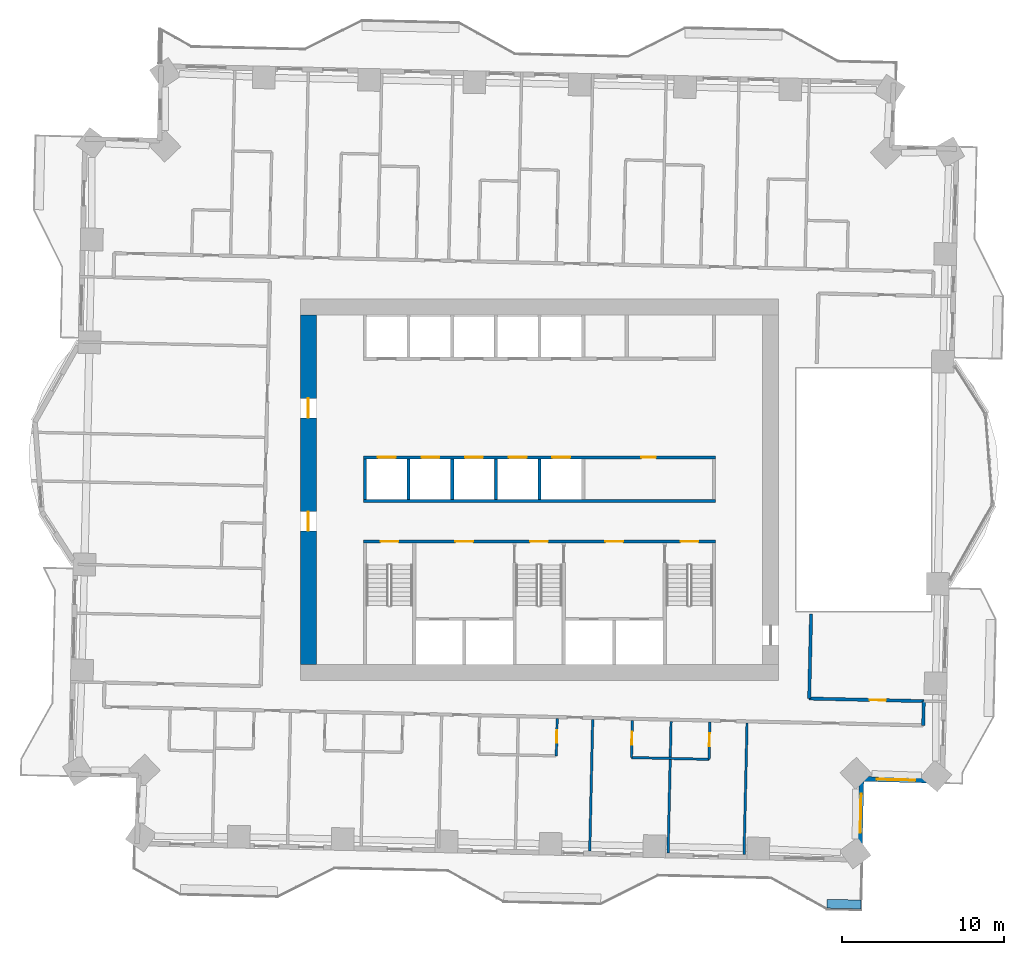
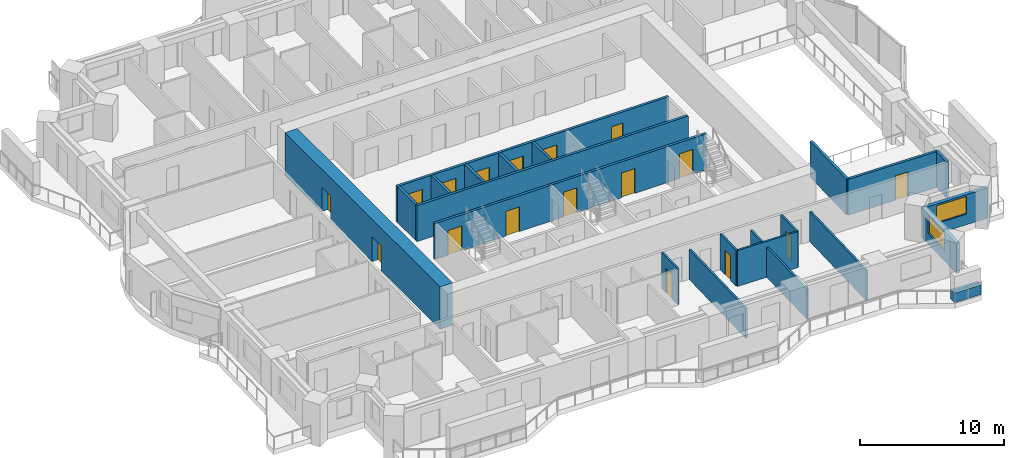
# One storey, part 8 of 16: 22 walls, 17 doors, 2 windows, 19 openings.
"""IFC4 building model written with IfcOpenShell, lengths in metres."""

from ifc_helpers import new_model, si_unit, direction, frame, frame_2d, origin, place, context, subcontext, project, spatial, rectangle, extrude, material, layer, layer_set, type_object, element, fill, save


model = new_model("IFC4")

# Units and contexts
model_context = context("Model", 3, precision=1e-05, world=origin(), true_north=direction((0.0, 1.0)))
body_context = subcontext(model_context, "Body", "Model", "MODEL_VIEW")
ifc_project = project(units=[si_unit("LENGTHUNIT", "METRE"), si_unit("AREAUNIT", "SQUARE_METRE"), si_unit("VOLUMEUNIT", "CUBIC_METRE"), si_unit("PLANEANGLEUNIT", "RADIAN"), si_unit("MASSUNIT", "GRAM", prefix="KILO")], contexts=[model_context])

# Site, building, storey
site_placement = place(None, origin())
site = spatial("IfcSite", under=ifc_project, at=site_placement, CompositionType="ELEMENT")
building_placement = place(site_placement, origin())
building = spatial("IfcBuilding", under=site, at=building_placement, Name="Mangrove Gate Tower", CompositionType="ELEMENT")
storey_placement = place(building_placement, frame((0.0, 0.0, 109.10009765625)))
storey = spatial("IfcBuildingStorey", under=building, at=storey_placement, Name="L27", CompositionType="ELEMENT", Elevation=109.10009765625)

# Wall
ifc_material_1 = material(Name="Concrete C70/85", Category="concrete")
ifc_layer_1 = layer(ifc_material_1, 0.199951171875)
ifc_layer_set_1 = layer_set([ifc_layer_1], Name="Core shaft wall 200 C70/85")
wall_type_1 = type_object("IfcWallType", Name="Core shaft wall 200 C70/85", PredefinedType="SHEAR", material=ifc_layer_set_1)
wall_1_placement = place(storey_placement, frame((-10.89990234375, -0.699951171875, 0.0), z_axis=(0.0, 0.0, 1.0), x_axis=(1.0, 0.0, 0.0)))
element("IfcWall", 1, at=wall_1_placement, inside=storey, type_object=wall_type_1, Name="WALL-L27-CORE-6", PredefinedType="SHEAR", context=body_context, shape_type="SweptSolid", body=[
    extrude(rectangle(XDim=21.7998046875, YDim=0.199951171875, at=frame_2d((10.89990234375, 0.0))), origin(), (0.0, 0.0, 1.0), 3.0498046875),
])

# Wall, openings, doors
wall_2_placement = place(storey_placement, frame((-10.89990234375, 2.0, 0.0), z_axis=(0.0, 0.0, 1.0), x_axis=(1.0, 0.0, 0.0)))
wall_2 = element("IfcWall", 2, at=wall_2_placement, inside=storey, type_object=wall_type_1, Name="WALL-L27-CORE-7", PredefinedType="SHEAR", context=body_context, shape_type="SweptSolid", body=[
    extrude(rectangle(XDim=21.7998046875, YDim=0.199951171875, at=frame_2d((10.89990234375, 0.0))), origin(), (0.0, 0.0, 1.0), 3.0498046875),
])
opening_1_placement = place(wall_2_placement, frame((0.89990234375, 0.0, 0.0)))
opening_1 = element("IfcOpeningElement", 3, at=opening_1_placement, cuts=wall_2, Name="Opening LD", PredefinedType="OPENING", context=body_context, shape_type="SweptSolid", body=[
    extrude(rectangle(XDim=1.10009765625, YDim=2.10009765625, at=frame_2d((0.550048828125, 1.050048828125))), frame((0.0, 0.10986328125, 0.0), z_axis=(0.0, -1.0, 0.0), x_axis=(1.0, 0.0, 0.0)), (0.0, 0.0, 1.0), 0.219970703125),
])
opening_2_placement = place(wall_2_placement, frame((3.60009765625, 0.0, 0.0)))
opening_2 = element("IfcOpeningElement", 4, at=opening_2_placement, cuts=wall_2, Name="Opening LD", PredefinedType="OPENING", context=body_context, shape_type="SweptSolid", body=[
    extrude(rectangle(XDim=1.10009765625, YDim=2.10009765625, at=frame_2d((0.550048828125, 1.050048828125))), frame((0.0, 0.10986328125, 0.0), z_axis=(0.0, -1.0, 0.0), x_axis=(1.0, 0.0, 0.0)), (0.0, 0.0, 1.0), 0.219970703125),
])
opening_3_placement = place(wall_2_placement, frame((6.300048828125, 0.0, 0.0)))
opening_3 = element("IfcOpeningElement", 5, at=opening_3_placement, cuts=wall_2, Name="Opening LD", PredefinedType="OPENING", context=body_context, shape_type="SweptSolid", body=[
    extrude(rectangle(XDim=1.10009765625, YDim=2.10009765625, at=frame_2d((0.550048828125, 1.050048828125))), frame((0.0, 0.10986328125, 0.0), z_axis=(0.0, -1.0, 0.0), x_axis=(1.0, 0.0, 0.0)), (0.0, 0.0, 1.0), 0.219970703125),
])
opening_4_placement = place(wall_2_placement, frame((9.0, 0.0, 0.0)))
opening_4 = element("IfcOpeningElement", 6, at=opening_4_placement, cuts=wall_2, Name="Opening LD", PredefinedType="OPENING", context=body_context, shape_type="SweptSolid", body=[
    extrude(rectangle(XDim=1.10009765625, YDim=2.10009765625, at=frame_2d((0.550048828125, 1.050048828125))), frame((0.0, 0.10986328125, 0.0), z_axis=(0.0, -1.0, 0.0), x_axis=(1.0, 0.0, 0.0)), (0.0, 0.0, 1.0), 0.219970703125),
])
opening_5_placement = place(wall_2_placement, frame((11.699951171875, 0.0, 0.0)))
opening_5 = element("IfcOpeningElement", 7, at=opening_5_placement, cuts=wall_2, Name="Opening LD", PredefinedType="OPENING", context=body_context, shape_type="SweptSolid", body=[
    extrude(rectangle(XDim=1.10009765625, YDim=2.10009765625, at=frame_2d((0.550048828125, 1.050048828125))), frame((0.0, 0.10986328125, 0.0), z_axis=(0.0, -1.0, 0.0), x_axis=(1.0, 0.0, 0.0)), (0.0, 0.0, 1.0), 0.219970703125),
])
opening_6_placement = place(wall_2_placement, frame((17.199951171875, 0.0, 0.0)))
opening_6 = element("IfcOpeningElement", 8, at=opening_6_placement, cuts=wall_2, Name="Opening RD", PredefinedType="OPENING", context=body_context, shape_type="SweptSolid", body=[
    extrude(rectangle(XDim=0.89990234375, YDim=2.10009765625, at=frame_2d((0.449951171875, 1.050048828125))), frame((0.0, 0.10986328125, 0.0), z_axis=(0.0, -1.0, 0.0), x_axis=(1.0, 0.0, 0.0)), (0.0, 0.0, 1.0), 0.219970703125),
])
ifc_material_2 = material(Name="Stainless steel 316", Category="steel")
door_type_1 = type_object("IfcDoorType", Name="Lift landing door 1100x2100", OperationType="SLIDING_TO_LEFT", PredefinedType="DOOR", material=ifc_material_2)
door_1_placement = place(opening_1_placement, origin())
door_1 = element("IfcDoor", 9, at=door_1_placement, inside=storey, type_object=door_type_1, Name="Landing door LD P01", OperationType="SLIDING_TO_LEFT", OverallHeight=2.10009765625, OverallWidth=1.10009765625, PredefinedType="DOOR", context=body_context, shape_type="SweptSolid", body=[
    extrude(rectangle(XDim=1.10009765625, YDim=2.10009765625, at=frame_2d((0.550048828125, 1.050048828125))), frame((0.0, 0.02490234375, 0.0), z_axis=(0.0, -1.0, 0.0), x_axis=(1.0, 0.0, 0.0)), (0.0, 0.0, 1.0), 0.050048828125),
])
fill(opening_1, door_1)
door_2_placement = place(opening_2_placement, origin())
door_2 = element("IfcDoor", 10, at=door_2_placement, inside=storey, type_object=door_type_1, Name="Landing door LD P02", OperationType="SLIDING_TO_LEFT", OverallHeight=2.10009765625, OverallWidth=1.10009765625, PredefinedType="DOOR", context=body_context, shape_type="SweptSolid", body=[
    extrude(rectangle(XDim=1.10009765625, YDim=2.10009765625, at=frame_2d((0.550048828125, 1.050048828125))), frame((0.0, 0.02490234375, 0.0), z_axis=(0.0, -1.0, 0.0), x_axis=(1.0, 0.0, 0.0)), (0.0, 0.0, 1.0), 0.050048828125),
])
fill(opening_2, door_2)
door_3_placement = place(opening_3_placement, origin())
door_3 = element("IfcDoor", 11, at=door_3_placement, inside=storey, type_object=door_type_1, Name="Landing door LD P03", OperationType="SLIDING_TO_LEFT", OverallHeight=2.10009765625, OverallWidth=1.10009765625, PredefinedType="DOOR", context=body_context, shape_type="SweptSolid", body=[
    extrude(rectangle(XDim=1.10009765625, YDim=2.10009765625, at=frame_2d((0.550048828125, 1.050048828125))), frame((0.0, 0.02490234375, 0.0), z_axis=(0.0, -1.0, 0.0), x_axis=(1.0, 0.0, 0.0)), (0.0, 0.0, 1.0), 0.050048828125),
])
fill(opening_3, door_3)
door_4_placement = place(opening_4_placement, origin())
door_4 = element("IfcDoor", 12, at=door_4_placement, inside=storey, type_object=door_type_1, Name="Landing door LD P04", OperationType="SLIDING_TO_LEFT", OverallHeight=2.10009765625, OverallWidth=1.10009765625, PredefinedType="DOOR", context=body_context, shape_type="SweptSolid", body=[
    extrude(rectangle(XDim=1.10009765625, YDim=2.10009765625, at=frame_2d((0.550048828125, 1.050048828125))), frame((0.0, 0.02490234375, 0.0), z_axis=(0.0, -1.0, 0.0), x_axis=(1.0, 0.0, 0.0)), (0.0, 0.0, 1.0), 0.050048828125),
])
fill(opening_4, door_4)
door_5_placement = place(opening_5_placement, origin())
door_5 = element("IfcDoor", 13, at=door_5_placement, inside=storey, type_object=door_type_1, Name="Landing door LD P05", OperationType="SLIDING_TO_LEFT", OverallHeight=2.10009765625, OverallWidth=1.10009765625, PredefinedType="DOOR", context=body_context, shape_type="SweptSolid", body=[
    extrude(rectangle(XDim=1.10009765625, YDim=2.10009765625, at=frame_2d((0.550048828125, 1.050048828125))), frame((0.0, 0.02490234375, 0.0), z_axis=(0.0, -1.0, 0.0), x_axis=(1.0, 0.0, 0.0)), (0.0, 0.0, 1.0), 0.050048828125),
])
fill(opening_5, door_5)
ifc_material_3 = material(Name="Fire-rated steel door set", Category="steel")
door_type_2 = type_object("IfcDoorType", Name="Riser door FD30S 900x2100", OperationType="SINGLE_SWING_LEFT", PredefinedType="DOOR", material=ifc_material_3)
door_6_placement = place(opening_6_placement, origin())
door_6 = element("IfcDoor", 14, at=door_6_placement, inside=storey, type_object=door_type_2, Name="Riser door Electrical room", OperationType="SINGLE_SWING_LEFT", OverallHeight=2.10009765625, OverallWidth=0.89990234375, PredefinedType="DOOR", context=body_context, shape_type="SweptSolid", body=[
    extrude(rectangle(XDim=0.89990234375, YDim=2.10009765625, at=frame_2d((0.449951171875, 1.050048828125))), frame((0.0, 0.02490234375, 0.0), z_axis=(0.0, -1.0, 0.0), x_axis=(1.0, 0.0, 0.0)), (0.0, 0.0, 1.0), 0.050048828125),
])
fill(opening_6, door_6)

# Walls
for number, where, z_axis, x_axis, name in (
    (15, (-10.800048828125, -0.60009765625, 0.0), (0.0, 0.0, 1.0), (0.0, 1.0, 0.0), "WALL-L27-CORE-19"),
    (16, (-8.10009765625, -0.60009765625, 0.0), (0.0, 0.0, 1.0), (0.0, 1.0, 0.0), "WALL-L27-CORE-20"),
    (17, (-5.39990234375, -0.60009765625, 0.0), (0.0, 0.0, 1.0), (0.0, 1.0, 0.0), "WALL-L27-CORE-21"),
    (18, (-2.699951171875, -0.60009765625, 0.0), (0.0, 0.0, 1.0), (0.0, 1.0, 0.0), "WALL-L27-CORE-22"),
    (19, (0.0, -0.60009765625, 0.0), (0.0, 0.0, 1.0), (0.0, 1.0, 0.0), "WALL-L27-CORE-23"),
):
    element("IfcWall", number, at=place(storey_placement, frame(where, z_axis=z_axis, x_axis=x_axis)), inside=storey, type_object=wall_type_1, Name=name, PredefinedType="SHEAR", context=body_context, shape_type="SweptSolid", body=[
        extrude(rectangle(XDim=2.5, YDim=0.199951171875, at=frame_2d((1.25, 0.0))), origin(), (0.0, 0.0, 1.0), 3.0498046875),
    ])

# Wall, openings, doors
ifc_material_4 = material(Name="Concrete C70/85", Category="concrete")
ifc_layer_2 = layer(ifc_material_4, 0.199951171875)
ifc_layer_set_2 = layer_set([ifc_layer_2], Name="Core stair wall 200 C70/85")
wall_type_2 = type_object("IfcWallType", Name="Core stair wall 200 C70/85", PredefinedType="SHEAR", material=ifc_layer_set_2)
wall_3_placement = place(storey_placement, frame((-10.89990234375, -3.199951171875, 0.0), z_axis=(0.0, 0.0, 1.0), x_axis=(1.0, 0.0, 0.0)))
wall_3 = element("IfcWall", 20, at=wall_3_placement, inside=storey, type_object=wall_type_2, Name="WALL-L27-CORE-5", PredefinedType="SHEAR", context=body_context, shape_type="SweptSolid", body=[
    extrude(rectangle(XDim=21.7998046875, YDim=0.199951171875, at=frame_2d((10.89990234375, 0.0))), origin(), (0.0, 0.0, 1.0), 3.0498046875),
])
opening_7_placement = place(wall_3_placement, frame((1.074951171875, 0.0, 0.0)))
opening_7 = element("IfcOpeningElement", 21, at=opening_7_placement, cuts=wall_3, Name="Opening STD11", PredefinedType="OPENING", context=body_context, shape_type="SweptSolid", body=[
    extrude(rectangle(XDim=1.10009765625, YDim=2.10009765625, at=frame_2d((0.550048828125, 1.050048828125))), frame((0.0, 0.10986328125, 0.0), z_axis=(0.0, -1.0, 0.0), x_axis=(1.0, 0.0, 0.0)), (0.0, 0.0, 1.0), 0.219970703125),
])
opening_8_placement = place(wall_3_placement, frame((10.324951171875, 0.0, 0.0)))
opening_8 = element("IfcOpeningElement", 22, at=opening_8_placement, cuts=wall_3, Name="Opening STD11", PredefinedType="OPENING", context=body_context, shape_type="SweptSolid", body=[
    extrude(rectangle(XDim=1.10009765625, YDim=2.10009765625, at=frame_2d((0.550048828125, 1.050048828125))), frame((0.0, 0.10986328125, 0.0), z_axis=(0.0, -1.0, 0.0), x_axis=(1.0, 0.0, 0.0)), (0.0, 0.0, 1.0), 0.219970703125),
])
opening_9_placement = place(wall_3_placement, frame((19.625, 0.0, 0.0)))
opening_9 = element("IfcOpeningElement", 23, at=opening_9_placement, cuts=wall_3, Name="Opening STD11", PredefinedType="OPENING", context=body_context, shape_type="SweptSolid", body=[
    extrude(rectangle(XDim=1.10009765625, YDim=2.10009765625, at=frame_2d((0.550048828125, 1.050048828125))), frame((0.0, 0.10986328125, 0.0), z_axis=(0.0, -1.0, 0.0), x_axis=(1.0, 0.0, 0.0)), (0.0, 0.0, 1.0), 0.219970703125),
])
opening_10_placement = place(wall_3_placement, frame((5.699951171875, 0.0, 0.0)))
opening_10 = element("IfcOpeningElement", 24, at=opening_10_placement, cuts=wall_3, Name="Opening FL", PredefinedType="OPENING", context=body_context, shape_type="SweptSolid", body=[
    extrude(rectangle(XDim=1.10009765625, YDim=2.10009765625, at=frame_2d((0.550048828125, 1.050048828125))), frame((0.0, 0.10986328125, 0.0), z_axis=(0.0, -1.0, 0.0), x_axis=(1.0, 0.0, 0.0)), (0.0, 0.0, 1.0), 0.219970703125),
])
opening_11_placement = place(wall_3_placement, frame((14.97509765625, 0.0, 0.0)))
opening_11 = element("IfcOpeningElement", 25, at=opening_11_placement, cuts=wall_3, Name="Opening FL", PredefinedType="OPENING", context=body_context, shape_type="SweptSolid", body=[
    extrude(rectangle(XDim=1.10009765625, YDim=2.10009765625, at=frame_2d((0.550048828125, 1.050048828125))), frame((0.0, 0.10986328125, 0.0), z_axis=(0.0, -1.0, 0.0), x_axis=(1.0, 0.0, 0.0)), (0.0, 0.0, 1.0), 0.219970703125),
])
ifc_material_5 = material(Name="Fire-rated steel door set", Category="steel")
door_type_3 = type_object("IfcDoorType", Name="Lobby door FD60 1100x2100", OperationType="SINGLE_SWING_LEFT", PredefinedType="DOOR", material=ifc_material_5)
door_7_placement = place(opening_10_placement, origin())
door_7 = element("IfcDoor", 26, at=door_7_placement, inside=storey, type_object=door_type_3, Name="Lobby door service lobby", OperationType="SINGLE_SWING_LEFT", OverallHeight=2.10009765625, OverallWidth=1.10009765625, PredefinedType="DOOR", context=body_context, shape_type="SweptSolid", body=[
    extrude(rectangle(XDim=1.10009765625, YDim=2.10009765625, at=frame_2d((0.550048828125, 1.050048828125))), frame((0.0, 0.02490234375, 0.0), z_axis=(0.0, -1.0, 0.0), x_axis=(1.0, 0.0, 0.0)), (0.0, 0.0, 1.0), 0.050048828125),
])
fill(opening_10, door_7)
door_8_placement = place(opening_11_placement, origin())
door_8 = element("IfcDoor", 27, at=door_8_placement, inside=storey, type_object=door_type_3, Name="Lobby door fire-fighting lobby", OperationType="SINGLE_SWING_LEFT", OverallHeight=2.10009765625, OverallWidth=1.10009765625, PredefinedType="DOOR", context=body_context, shape_type="SweptSolid", body=[
    extrude(rectangle(XDim=1.10009765625, YDim=2.10009765625, at=frame_2d((0.550048828125, 1.050048828125))), frame((0.0, 0.02490234375, 0.0), z_axis=(0.0, -1.0, 0.0), x_axis=(1.0, 0.0, 0.0)), (0.0, 0.0, 1.0), 0.050048828125),
])
fill(opening_11, door_8)
ifc_material_6 = material(Name="Fire-rated steel door set", Category="steel")
door_type_4 = type_object("IfcDoorType", Name="Stair door FD60 1100x2100", OperationType="SINGLE_SWING_RIGHT", PredefinedType="DOOR", material=ifc_material_6)
door_9_placement = place(opening_7_placement, origin())
door_9 = element("IfcDoor", 28, at=door_9_placement, inside=storey, type_object=door_type_4, Name="Stair door Stair 1", OperationType="SINGLE_SWING_RIGHT", OverallHeight=2.10009765625, OverallWidth=1.10009765625, PredefinedType="DOOR", context=body_context, shape_type="SweptSolid", body=[
    extrude(rectangle(XDim=1.10009765625, YDim=2.10009765625, at=frame_2d((0.550048828125, 1.050048828125))), frame((0.0, 0.02490234375, 0.0), z_axis=(0.0, -1.0, 0.0), x_axis=(1.0, 0.0, 0.0)), (0.0, 0.0, 1.0), 0.050048828125),
])
fill(opening_7, door_9)
door_10_placement = place(opening_8_placement, origin())
door_10 = element("IfcDoor", 29, at=door_10_placement, inside=storey, type_object=door_type_4, Name="Stair door Stair 2", OperationType="SINGLE_SWING_RIGHT", OverallHeight=2.10009765625, OverallWidth=1.10009765625, PredefinedType="DOOR", context=body_context, shape_type="SweptSolid", body=[
    extrude(rectangle(XDim=1.10009765625, YDim=2.10009765625, at=frame_2d((0.550048828125, 1.050048828125))), frame((0.0, 0.02490234375, 0.0), z_axis=(0.0, -1.0, 0.0), x_axis=(1.0, 0.0, 0.0)), (0.0, 0.0, 1.0), 0.050048828125),
])
fill(opening_8, door_10)
door_11_placement = place(opening_9_placement, origin())
door_11 = element("IfcDoor", 30, at=door_11_placement, inside=storey, type_object=door_type_4, Name="Stair door Stair 3", OperationType="SINGLE_SWING_RIGHT", OverallHeight=2.10009765625, OverallWidth=1.10009765625, PredefinedType="DOOR", context=body_context, shape_type="SweptSolid", body=[
    extrude(rectangle(XDim=1.10009765625, YDim=2.10009765625, at=frame_2d((0.550048828125, 1.050048828125))), frame((0.0, 0.02490234375, 0.0), z_axis=(0.0, -1.0, 0.0), x_axis=(1.0, 0.0, 0.0)), (0.0, 0.0, 1.0), 0.050048828125),
])
fill(opening_9, door_11)

ifc_material_7 = material(Name="Concrete C70/85", Category="concrete")
ifc_layer_3 = layer(ifc_material_7, 1.0)
ifc_layer_set_3 = layer_set([ifc_layer_3], Name="Core wall 1000 C70/85")
wall_type_3 = type_object("IfcWallType", Name="Core wall 1000 C70/85", PredefinedType="SHEAR", material=ifc_layer_set_3)
wall_4_placement = place(storey_placement, frame((-14.300048828125, -10.800048828125, 0.0), z_axis=(0.0, 0.0, 1.0), x_axis=(0.0, 1.0, 0.0)))
wall_4 = element("IfcWall", 31, at=wall_4_placement, inside=storey, type_object=wall_type_3, Name="WALL-L27-CORE-3", PredefinedType="SHEAR", context=body_context, shape_type="SweptSolid", body=[
    extrude(rectangle(XDim=21.60009765625, YDim=1.0, at=frame_2d((10.800048828125, 0.0))), origin(), (0.0, 0.0, 1.0), 3.599853515625),
])
opening_12_placement = place(wall_4_placement, frame((8.25, 0.0, 0.0)))
opening_12 = element("IfcOpeningElement", 32, at=opening_12_placement, cuts=wall_4, Name="Opening CD", PredefinedType="OPENING", context=body_context, shape_type="SweptSolid", body=[
    extrude(rectangle(XDim=1.199951171875, YDim=2.10009765625, at=frame_2d((0.60009765625, 1.050048828125))), frame((0.0, 0.510009765625, 0.0), z_axis=(0.0, -1.0, 0.0), x_axis=(1.0, 0.0, 0.0)), (0.0, 0.0, 1.0), 1.02001953125),
])
opening_13_placement = place(wall_4_placement, frame((15.25, 0.0, 0.0)))
opening_13 = element("IfcOpeningElement", 33, at=opening_13_placement, cuts=wall_4, Name="Opening CD", PredefinedType="OPENING", context=body_context, shape_type="SweptSolid", body=[
    extrude(rectangle(XDim=1.199951171875, YDim=2.10009765625, at=frame_2d((0.60009765625, 1.050048828125))), frame((0.0, 0.510009765625, 0.0), z_axis=(0.0, -1.0, 0.0), x_axis=(1.0, 0.0, 0.0)), (0.0, 0.0, 1.0), 1.02001953125),
])
ifc_material_8 = material(Name="Fire-rated steel door set", Category="steel")
door_type_5 = type_object("IfcDoorType", Name="Core ring door FD60 1200x2100", OperationType="DOUBLE_DOOR_SINGLE_SWING", PredefinedType="DOOR", material=ifc_material_8)
door_12_placement = place(opening_12_placement, origin())
door_12 = element("IfcDoor", 34, at=door_12_placement, inside=storey, type_object=door_type_5, Name="Core ring door W1", OperationType="DOUBLE_DOOR_SINGLE_SWING", OverallHeight=2.10009765625, OverallWidth=1.199951171875, PredefinedType="DOOR", context=body_context, shape_type="SweptSolid", body=[
    extrude(rectangle(XDim=1.199951171875, YDim=2.10009765625, at=frame_2d((0.60009765625, 1.050048828125))), frame((0.0, 0.02490234375, 0.0), z_axis=(0.0, -1.0, 0.0), x_axis=(1.0, 0.0, 0.0)), (0.0, 0.0, 1.0), 0.050048828125),
])
fill(opening_12, door_12)
door_13_placement = place(opening_13_placement, origin())
door_13 = element("IfcDoor", 35, at=door_13_placement, inside=storey, type_object=door_type_5, Name="Core ring door W2", OperationType="DOUBLE_DOOR_SINGLE_SWING", OverallHeight=2.10009765625, OverallWidth=1.199951171875, PredefinedType="DOOR", context=body_context, shape_type="SweptSolid", body=[
    extrude(rectangle(XDim=1.199951171875, YDim=2.10009765625, at=frame_2d((0.60009765625, 1.050048828125))), frame((0.0, 0.02490234375, 0.0), z_axis=(0.0, -1.0, 0.0), x_axis=(1.0, 0.0, 0.0)), (0.0, 0.0, 1.0), 0.050048828125),
])
fill(opening_13, door_13)

# Wall
ifc_material_9 = material(Name="Gypsum board on steel stud, EI 60", Category="steel")
ifc_layer_4 = layer(ifc_material_9, 0.199951171875)
ifc_layer_set_4 = layer_set([ifc_layer_4], Name="Corridor wall EI 60")
wall_type_4 = type_object("IfcWallType", Name="Corridor wall EI 60", PredefinedType="PARTITIONING", material=ifc_layer_set_4)
wall_5_placement = place(storey_placement, frame((23.738037109375, -14.5791015625, 0.0), z_axis=(0.0, 0.0, 1.0), x_axis=(0.022617910375, 0.999744182344, 0.0)))
element("IfcWall", 36, at=wall_5_placement, inside=storey, type_object=wall_type_4, Name="WALL-L27-024", PredefinedType="PARTITIONING", context=body_context, shape_type="SweptSolid", body=[
    extrude(rectangle(XDim=1.50048828125, YDim=0.199951171875, at=frame_2d((0.750244140625, 0.0))), origin(), (0.0, 0.0, 1.0), 3.0498046875),
])

# Wall, opening, door
wall_6_placement = place(storey_placement, frame((16.678955078125, -12.91796875, 0.0), z_axis=(0.0, 0.0, 1.0), x_axis=(0.999739218926, -0.02283624622, 0.0)))
wall_6 = element("IfcWall", 37, at=wall_6_placement, inside=storey, type_object=wall_type_4, Name="WALL-L27-028", PredefinedType="PARTITIONING", context=body_context, shape_type="SweptSolid", body=[
    extrude(rectangle(XDim=7.098876953125, YDim=0.199951171875, at=frame_2d((3.54931640625, 0.0))), origin(), (0.0, 0.0, 1.0), 3.0498046875),
])
opening_14_placement = place(wall_6_placement, frame((3.7490234375, 0.0, 0.0)))
opening_14 = element("IfcOpeningElement", 38, at=opening_14_placement, cuts=wall_6, Name="Opening AD", PredefinedType="OPENING", context=body_context, shape_type="SweptSolid", body=[
    extrude(rectangle(XDim=1.0, YDim=2.10009765625, at=frame_2d((0.5, 1.050048828125))), frame((0.0, 0.10986328125, 0.0), z_axis=(0.0, -1.0, 0.0), x_axis=(1.0, 0.0, 0.0)), (0.0, 0.0, 1.0), 0.219970703125),
])
ifc_material_10 = material(Name="Timber door leaf", Category="wood")
door_type_6 = type_object("IfcDoorType", Name="Amenity door 1000", OperationType="SINGLE_SWING_LEFT", PredefinedType="DOOR", material=ifc_material_10)
door_14_placement = place(opening_14_placement, origin())
door_14 = element("IfcDoor", 39, at=door_14_placement, inside=storey, type_object=door_type_6, Name="DOOR-L27-KIT-c3a", OperationType="SINGLE_SWING_LEFT", OverallHeight=2.10009765625, OverallWidth=1.0, PredefinedType="DOOR", context=body_context, shape_type="SweptSolid", body=[
    extrude(rectangle(XDim=1.0, YDim=2.10009765625, at=frame_2d((0.5, 1.050048828125))), frame((0.0, 0.02490234375, 0.0), z_axis=(0.0, -1.0, 0.0), x_axis=(1.0, 0.0, 0.0)), (0.0, 0.0, 1.0), 0.050048828125),
])
fill(opening_14, door_14)

# Wall
wall_7_placement = place(storey_placement, frame((16.68408203125, -12.9189453125, 0.0), z_axis=(0.0, 0.0, 1.0), x_axis=(0.022667483124, 0.999743059595, 0.0)))
element("IfcWall", 40, at=wall_7_placement, inside=storey, type_object=wall_type_4, Name="WALL-L27-029", PredefinedType="PARTITIONING", context=body_context, shape_type="SweptSolid", body=[
    extrude(rectangle(XDim=5.245361328125, YDim=0.199951171875, at=frame_2d((2.62255859375, 0.0))), origin(), (0.0, 0.0, 1.0), 3.0498046875),
])

# Wall, opening, window
ifc_material_11 = material(Name="Limestone", Category="masonry")
ifc_layer_5 = layer(ifc_material_11, 0.0400390625, Name="Limestone cladding")
ifc_material_12 = material(Name="Ventilated air gap")
ifc_layer_6 = layer(ifc_material_12, 0.0400390625, Name="Ventilated cavity")
ifc_material_13 = material(Name="Mineral wool insulation")
ifc_layer_7 = layer(ifc_material_13, 0.06005859375, Name="Insulation")
ifc_material_14 = material(Name="Breather membrane")
ifc_layer_8 = layer(ifc_material_14, 0.001953125, Name="Breather membrane")
ifc_material_15 = material(Name="Concrete C20/25 blockwork", Category="masonry")
ifc_layer_9 = layer(ifc_material_15, 0.14990234375, Name="Blockwork backing wall")
ifc_material_16 = material(Name="Gypsum plaster")
ifc_layer_10 = layer(ifc_material_16, 0.008056640625, Name="Internal plaster")
ifc_layer_set_5 = layer_set([ifc_layer_5, ifc_layer_6, ifc_layer_7, ifc_layer_8, ifc_layer_9, ifc_layer_10], Name="External wall 300 limestone cladding")
wall_type_5 = type_object("IfcWallType", Name="External wall 300 limestone cladding", PredefinedType="SOLIDWALL", material=ifc_layer_set_5)
wall_8_placement = place(storey_placement, frame((19.802978515625, -22.89208984375, 0.0), z_axis=(0.0, 0.0, 1.0), x_axis=(0.022606059803, 0.999744450377, 0.0)))
wall_8 = element("IfcWall", 41, at=wall_8_placement, inside=storey, type_object=wall_type_5, Name="WALL-L27-E14", PredefinedType="SOLIDWALL", context=body_context, shape_type="SweptSolid", body=[
    extrude(rectangle(XDim=5.000244140625, YDim=0.300048828125, at=frame_2d((2.5, 0.0))), origin(), (0.0, 0.0, 1.0), 2.5498046875),
])
opening_15_placement = place(wall_8_placement, frame((1.669921875, 0.0, 0.89990234375)))
opening_15 = element("IfcOpeningElement", 42, at=opening_15_placement, cuts=wall_8, Name="Opening W2", PredefinedType="OPENING", context=body_context, shape_type="SweptSolid", body=[
    extrude(rectangle(XDim=2.39990234375, YDim=1.5, at=frame_2d((1.199951171875, 0.75))), frame((0.0, 0.159912109375, 0.0), z_axis=(0.0, -1.0, 0.0), x_axis=(1.0, 0.0, 0.0)), (0.0, 0.0, 1.0), 0.320068359375),
])
ifc_material_17 = material(Name="Aluminium frame with double-glazed low-e glass", Category="aluminium")
window_type = type_object("IfcWindowType", Name="Corner room window 2400x1500", PartitioningType="DOUBLE_PANEL_VERTICAL", PredefinedType="WINDOW", material=ifc_material_17)
window_1_placement = place(opening_15_placement, origin())
window_1 = element("IfcWindow", 43, at=window_1_placement, inside=storey, type_object=window_type, Name="WIN-L27-E14-1", OverallHeight=1.5, OverallWidth=2.39990234375, PartitioningType="DOUBLE_PANEL_VERTICAL", PredefinedType="WINDOW", context=body_context, shape_type="SweptSolid", body=[
    extrude(rectangle(XDim=2.39990234375, YDim=1.5, at=frame_2d((1.199951171875, 0.75))), frame((0.0, 0.030029296875, 0.0), z_axis=(0.0, -1.0, 0.0), x_axis=(1.0, 0.0, 0.0)), (0.0, 0.0, 1.0), 0.06005859375),
])
fill(opening_15, window_1)

wall_9_placement = place(storey_placement, frame((19.916015625, -17.89306640625, 0.0), z_axis=(0.0, 0.0, 1.0), x_axis=(0.999740017489, -0.022801259434, 0.0)))
wall_9 = element("IfcWall", 44, at=wall_9_placement, inside=storey, type_object=wall_type_5, Name="WALL-L27-S15", PredefinedType="SOLIDWALL", context=body_context, shape_type="SweptSolid", body=[
    extrude(rectangle(XDim=5.000244140625, YDim=0.300048828125, at=frame_2d((2.5, 0.0))), origin(), (0.0, 0.0, 1.0), 2.5498046875),
])
opening_16_placement = place(wall_9_placement, frame((0.93310546875, 0.0, 0.89990234375)))
opening_16 = element("IfcOpeningElement", 45, at=opening_16_placement, cuts=wall_9, Name="Opening W2", PredefinedType="OPENING", context=body_context, shape_type="SweptSolid", body=[
    extrude(rectangle(XDim=2.39990234375, YDim=1.5, at=frame_2d((1.199951171875, 0.75))), frame((0.0, 0.159912109375, 0.0), z_axis=(0.0, -1.0, 0.0), x_axis=(1.0, 0.0, 0.0)), (0.0, 0.0, 1.0), 0.320068359375),
])
window_2_placement = place(opening_16_placement, origin())
window_2 = element("IfcWindow", 46, at=window_2_placement, inside=storey, type_object=window_type, Name="WIN-L27-S15-1", OverallHeight=1.5, OverallWidth=2.39990234375, PartitioningType="DOUBLE_PANEL_VERTICAL", PredefinedType="WINDOW", context=body_context, shape_type="SweptSolid", body=[
    extrude(rectangle(XDim=2.39990234375, YDim=1.5, at=frame_2d((1.199951171875, 0.75))), frame((0.0, 0.030029296875, 0.0), z_axis=(0.0, -1.0, 0.0), x_axis=(1.0, 0.0, 0.0)), (0.0, 0.0, 1.0), 0.06005859375),
])
fill(opening_16, window_2)

# Walls
ifc_material_18 = material(Name="Gypsum board on steel stud, EI 60", Category="steel")
ifc_layer_11 = layer(ifc_material_18, 0.14990234375)
ifc_layer_set_6 = layer_set([ifc_layer_11], Name="Party wall 150 EI 60")
wall_type_6 = type_object("IfcWallType", Name="Party wall 150 EI 60", PredefinedType="PARTITIONING", material=ifc_layer_set_6)
for number, where, z_axis, x_axis, name in (
    (47, (3.10595703125, -22.363037109375, 0.0), (0.0, 0.0, 1.0), (0.022706435224, 0.999742175663, 0.0), "WALL-L27-006"),
    (48, (7.955078125, -22.472900390625, 0.0), (0.0, 0.0, 1.0), (0.022676494918, 0.999742855227, 0.0), "WALL-L27-007"),
):
    element("IfcWall", number, at=place(storey_placement, frame(where, z_axis=z_axis, x_axis=x_axis)), inside=storey, type_object=wall_type_6, Name=name, PredefinedType="PARTITIONING", context=body_context, shape_type="SweptSolid", body=[
        extrude(rectangle(XDim=8.150146484375, YDim=0.14990234375, at=frame_2d((4.0751953125, 0.0))), origin(), (0.0, 0.0, 1.0), 2.5498046875),
    ])
wall_10_placement = place(storey_placement, frame((12.654052734375, -22.580078125, 0.0), z_axis=(0.0, 0.0, 1.0), x_axis=(0.022705755232, 0.999742191107, 0.0)))
element("IfcWall", 49, at=wall_10_placement, inside=storey, type_object=wall_type_6, Name="WALL-L27-008", PredefinedType="PARTITIONING", context=body_context, shape_type="SweptSolid", body=[
    extrude(rectangle(XDim=8.150390625, YDim=0.14990234375, at=frame_2d((4.0751953125, 0.0))), origin(), (0.0, 0.0, 1.0), 2.5498046875),
])

# Wall, opening, door
wall_11_placement = place(storey_placement, frame((1.0400390625, -16.465087890625, 0.0), z_axis=(0.0, 0.0, 1.0), x_axis=(0.022603288534, 0.999744513037, 0.0)))
wall_11 = element("IfcWall", 50, at=wall_11_placement, inside=storey, type_object=wall_type_6, Name="WALL-L27-018", PredefinedType="PARTITIONING", context=body_context, shape_type="SweptSolid", body=[
    extrude(rectangle(XDim=2.300537109375, YDim=0.14990234375, at=frame_2d((1.150390625, 0.0))), origin(), (0.0, 0.0, 1.0), 3.0498046875),
])
opening_17_placement = place(wall_11_placement, frame((0.800048828125, 0.0, 0.0)))
opening_17 = element("IfcOpeningElement", 51, at=opening_17_placement, cuts=wall_11, Name="Opening ED", PredefinedType="OPENING", context=body_context, shape_type="SweptSolid", body=[
    extrude(rectangle(XDim=0.800048828125, YDim=2.10009765625, at=frame_2d((0.39990234375, 1.050048828125))), frame((0.0, 0.0849609375, 0.0), z_axis=(0.0, -1.0, 0.0), x_axis=(1.0, 0.0, 0.0)), (0.0, 0.0, 1.0), 0.169921875),
])
ifc_material_19 = material(Name="Timber door leaf", Category="wood")
door_type_7 = type_object("IfcDoorType", Name="En-suite door 800", OperationType="SINGLE_SWING_LEFT", PredefinedType="DOOR", material=ifc_material_19)
door_15_placement = place(opening_17_placement, origin())
door_15 = element("IfcDoor", 52, at=door_15_placement, inside=storey, type_object=door_type_7, Name="DOOR-L27-ENS-c205", OperationType="SINGLE_SWING_LEFT", OverallHeight=2.10009765625, OverallWidth=0.800048828125, PredefinedType="DOOR", context=body_context, shape_type="SweptSolid", body=[
    extrude(rectangle(XDim=0.800048828125, YDim=2.10009765625, at=frame_2d((0.39990234375, 1.050048828125))), frame((0.0, 0.02490234375, 0.0), z_axis=(0.0, -1.0, 0.0), x_axis=(1.0, 0.0, 0.0)), (0.0, 0.0, 1.0), 0.050048828125),
])
fill(opening_17, door_15)

# Wall
wall_12_placement = place(storey_placement, frame((5.68505859375, -16.570068359375, 0.0), z_axis=(0.0, 0.0, 1.0), x_axis=(0.999742570398, -0.022689048768, 0.0)))
element("IfcWall", 53, at=wall_12_placement, inside=storey, type_object=wall_type_6, Name="WALL-L27-019", PredefinedType="PARTITIONING", context=body_context, shape_type="SweptSolid", body=[
    extrude(rectangle(XDim=4.799072265625, YDim=0.14990234375, at=frame_2d((2.3994140625, 0.0))), origin(), (0.0, 0.0, 1.0), 3.0498046875),
])

# Wall, opening, door
wall_13_placement = place(storey_placement, frame((5.68896484375, -16.570068359375, 0.0), z_axis=(0.0, 0.0, 1.0), x_axis=(0.022612884682, 0.999744296031, 0.0)))
wall_13 = element("IfcWall", 54, at=wall_13_placement, inside=storey, type_object=wall_type_6, Name="WALL-L27-020", PredefinedType="PARTITIONING", context=body_context, shape_type="SweptSolid", body=[
    extrude(rectangle(XDim=2.299560546875, YDim=0.14990234375, at=frame_2d((1.14990234375, 0.0))), origin(), (0.0, 0.0, 1.0), 3.0498046875),
])
opening_18_placement = place(wall_13_placement, frame((0.800048828125, 0.0, 0.0)))
opening_18 = element("IfcOpeningElement", 55, at=opening_18_placement, cuts=wall_13, Name="Opening ED", PredefinedType="OPENING", context=body_context, shape_type="SweptSolid", body=[
    extrude(rectangle(XDim=0.800048828125, YDim=2.10009765625, at=frame_2d((0.39990234375, 1.050048828125))), frame((0.0, 0.0849609375, 0.0), z_axis=(0.0, -1.0, 0.0), x_axis=(1.0, 0.0, 0.0)), (0.0, 0.0, 1.0), 0.169921875),
])
door_16_placement = place(opening_18_placement, origin())
door_16 = element("IfcDoor", 56, at=door_16_placement, inside=storey, type_object=door_type_7, Name="DOOR-L27-ENS-c206", OperationType="SINGLE_SWING_RIGHT", OverallHeight=2.10009765625, OverallWidth=0.800048828125, PredefinedType="DOOR", context=body_context, shape_type="SweptSolid", body=[
    extrude(rectangle(XDim=0.800048828125, YDim=2.10009765625, at=frame_2d((0.39990234375, 1.050048828125))), frame((0.0, 0.02490234375, 0.0), z_axis=(0.0, -1.0, 0.0), x_axis=(1.0, 0.0, 0.0)), (0.0, 0.0, 1.0), 0.050048828125),
])
fill(opening_18, door_16)

wall_14_placement = place(storey_placement, frame((10.487060546875, -16.678955078125, 0.0), z_axis=(0.0, 0.0, 1.0), x_axis=(0.022612884682, 0.999744296031, 0.0)))
wall_14 = element("IfcWall", 57, at=wall_14_placement, inside=storey, type_object=wall_type_6, Name="WALL-L27-021", PredefinedType="PARTITIONING", context=body_context, shape_type="SweptSolid", body=[
    extrude(rectangle(XDim=2.299560546875, YDim=0.14990234375, at=frame_2d((1.14990234375, 0.0))), origin(), (0.0, 0.0, 1.0), 3.0498046875),
])
opening_19_placement = place(wall_14_placement, frame((0.800048828125, 0.0, 0.0)))
opening_19 = element("IfcOpeningElement", 58, at=opening_19_placement, cuts=wall_14, Name="Opening ED", PredefinedType="OPENING", context=body_context, shape_type="SweptSolid", body=[
    extrude(rectangle(XDim=0.800048828125, YDim=2.10009765625, at=frame_2d((0.39990234375, 1.050048828125))), frame((0.0, 0.0849609375, 0.0), z_axis=(0.0, -1.0, 0.0), x_axis=(1.0, 0.0, 0.0)), (0.0, 0.0, 1.0), 0.169921875),
])
door_17_placement = place(opening_19_placement, origin())
door_17 = element("IfcDoor", 59, at=door_17_placement, inside=storey, type_object=door_type_7, Name="DOOR-L27-ENS-c307", OperationType="SINGLE_SWING_LEFT", OverallHeight=2.10009765625, OverallWidth=0.800048828125, PredefinedType="DOOR", context=body_context, shape_type="SweptSolid", body=[
    extrude(rectangle(XDim=0.800048828125, YDim=2.10009765625, at=frame_2d((0.39990234375, 1.050048828125))), frame((0.0, 0.02490234375, 0.0), z_axis=(0.0, -1.0, 0.0), x_axis=(1.0, 0.0, 0.0)), (0.0, 0.0, 1.0), 0.050048828125),
])
fill(opening_19, door_17)

# Wall
ifc_material_20 = material(Name="Concrete C32/40", Category="concrete")
ifc_layer_12 = layer(ifc_material_20, 0.199951171875, Name="Planter trough wall")
ifc_material_21 = material(Name="Bituminous waterproofing membrane")
ifc_layer_13 = layer(ifc_material_21, 0.0048828125, Name="Waterproofing")
ifc_material_22 = material(Name="Drainage board and gravel")
ifc_layer_14 = layer(ifc_material_22, 0.044921875, Name="Drainage layer")
ifc_material_23 = material(Name="Planting soil")
ifc_layer_15 = layer(ifc_material_23, 0.300048828125, Name="Growing medium")
ifc_layer_set_7 = layer_set([ifc_layer_12, ifc_layer_13, ifc_layer_14, ifc_layer_15], Name="Planter wall 550 C32/40")
wall_type_7 = type_object("IfcWallType", Name="Planter wall 550 C32/40", PredefinedType="USERDEFINED", material=ifc_layer_set_7)
wall_15_placement = place(storey_placement, frame((17.785888671875, -25.612060546875, 0.0), z_axis=(0.0, 0.0, 1.0), x_axis=(0.999741476082, -0.022737216212, 0.0)))
element("IfcWall", 60, at=wall_15_placement, inside=storey, type_object=wall_type_7, Name="PLANTER L27 S1.2", ObjectType="PLANTER", PredefinedType="USERDEFINED", context=body_context, shape_type="SweptSolid", body=[
    extrude(rectangle(XDim=2.1044921875, YDim=0.550048828125, at=frame_2d((1.05224609375, 0.0))), origin(), (0.0, 0.0, 1.0), 0.7998046875),
])

save(model, "model.ifc")
